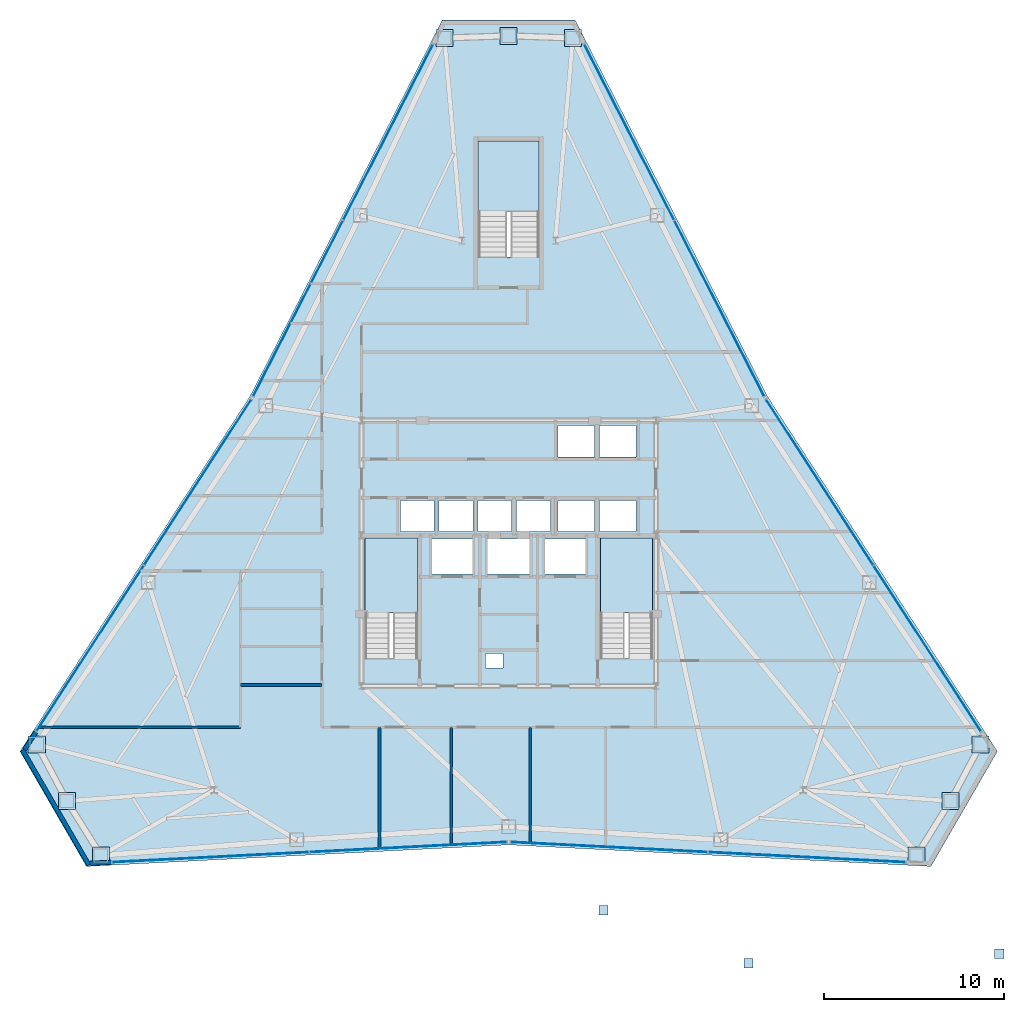
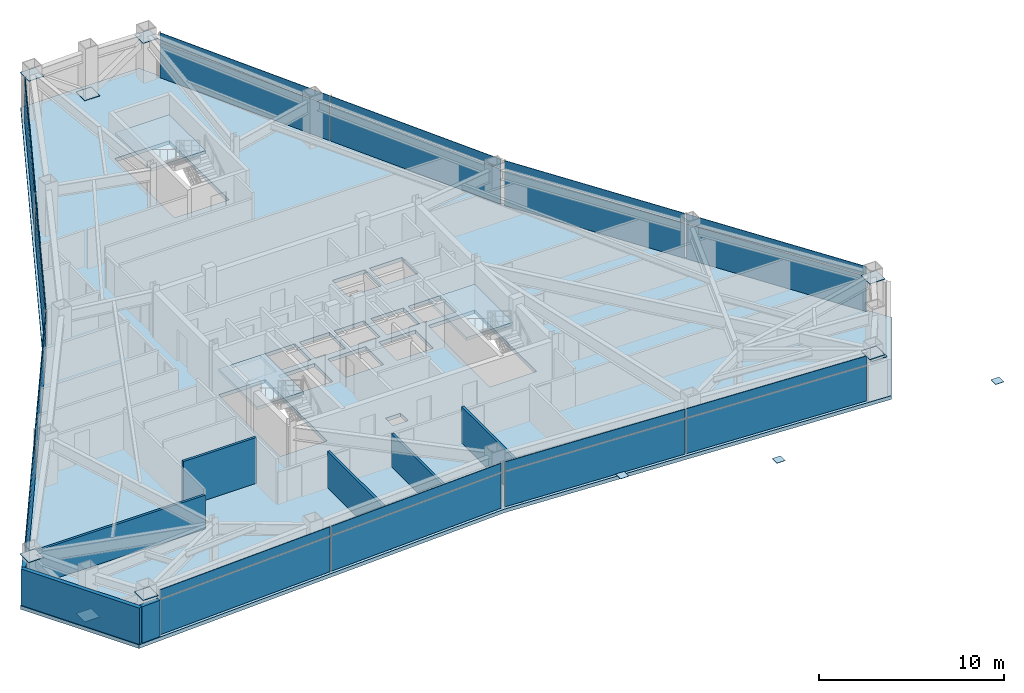
# One storey, part 8 of 12: 36 plates, 8 walls, 4 slabs, 9 elements without a shape of their own.
"""IFC4 building model written with IfcOpenShell, lengths in metres."""

from ifc_helpers import new_model, si_unit, direction, frame, frame_2d, origin, origin_2d, place, context, subcontext, project, spatial, polyline, rectangle, outline, extrude, source, transform, mapped, material, layer, layer_set, type_object, type_shapes, element, aggregate, save


model = new_model("IFC4")

# Units and contexts
model_context = context("Model", 3, precision=1e-05, world=origin(), true_north=direction((0.0, 1.0)))
body_context = subcontext(model_context, "Body", "Model", "MODEL_VIEW")
ifc_project = project(units=[si_unit("LENGTHUNIT", "METRE"), si_unit("AREAUNIT", "SQUARE_METRE"), si_unit("VOLUMEUNIT", "CUBIC_METRE"), si_unit("PLANEANGLEUNIT", "RADIAN"), si_unit("MASSUNIT", "GRAM", prefix="KILO")], contexts=[model_context])

# Site, building, storey
site_placement = place(None, origin())
site = spatial("IfcSite", under=ifc_project, at=site_placement, CompositionType="ELEMENT")
building_placement = place(site_placement, origin())
building = spatial("IfcBuilding", under=site, at=building_placement, Name="Varakhsha Concourse Tower", CompositionType="ELEMENT")
storey_placement = place(building_placement, frame((0.0, 0.0, 193.050048828125)))
storey = spatial("IfcBuildingStorey", under=building, at=storey_placement, Name="L55", CompositionType="ELEMENT", Elevation=193.050048828125)

# Slab
ifc_material_1 = material(Name="Concrete fc 45 MPa", Category="concrete")
ifc_layer_1 = layer(ifc_material_1, 0.239990234375, Name="SL-FLR-240")
ifc_layer_set_1 = layer_set([ifc_layer_1], Name="Concrete fc 45 MPa")
slab_type_1 = type_object("IfcSlabType", Name="SL-FLR-240", PredefinedType="FLOOR", material=ifc_layer_set_1)
slab_1_placement = place(storey_placement, frame((0.0, 0.0, -0.239990234375)))
element("IfcSlab", 1, at=slab_1_placement, inside=storey, type_object=slab_type_1, Name="L55 Composite Structural Slab", PredefinedType="FLOOR", context=body_context, shape_type="SweptSolid", body=[
    extrude(outline(polyline([(43.699951171875, 53.498046875), (36.300048828125, 53.498046875), (25.58056640625, 32.52490234375), (12.777099609375, 12.755126953125), (16.47705078125, 6.3466796875), (40.0, 7.550048828125), (63.52294921875, 6.3466796875), (67.222900390625, 12.755126953125), (54.41943359375, 32.52490234375), (43.699951171875, 53.498046875)]), holes=[polyline([(34.919921875, 17.93994140625), (34.919921875, 24.6298828125), (32.0, 24.6298828125), (32.0, 17.93994140625), (34.919921875, 17.93994140625)]), polyline([(48.02001953125, 17.93994140625), (48.02001953125, 24.6298828125), (45.10009765625, 24.6298828125), (45.10009765625, 17.93994140625), (48.02001953125, 17.93994140625)]), polyline([(41.699951171875, 40.300048828125), (41.699951171875, 46.75), (38.300048828125, 46.75), (38.300048828125, 40.300048828125), (41.699951171875, 40.300048828125)]), polyline([(33.9599609375, 25.0), (35.840087890625, 25.0), (35.840087890625, 26.739990234375), (33.9599609375, 26.739990234375), (33.9599609375, 25.0)]), polyline([(36.1201171875, 25.0), (38.0, 25.0), (38.0, 26.739990234375), (36.1201171875, 26.739990234375), (36.1201171875, 25.0)]), polyline([(38.280029296875, 25.0), (40.159912109375, 25.0), (40.159912109375, 26.739990234375), (38.280029296875, 26.739990234375), (38.280029296875, 25.0)]), polyline([(40.43994140625, 25.0), (42.320068359375, 25.0), (42.320068359375, 26.739990234375), (40.43994140625, 26.739990234375), (40.43994140625, 25.0)]), polyline([(42.739990234375, 29.159912109375), (44.780029296875, 29.159912109375), (44.780029296875, 30.89990234375), (42.739990234375, 30.89990234375), (42.739990234375, 29.159912109375)]), polyline([(45.06005859375, 29.159912109375), (47.10009765625, 29.159912109375), (47.10009765625, 30.89990234375), (45.06005859375, 30.89990234375), (45.06005859375, 29.159912109375)]), polyline([(42.739990234375, 25.0), (44.780029296875, 25.0), (44.780029296875, 26.739990234375), (42.739990234375, 26.739990234375), (42.739990234375, 25.0)]), polyline([(45.06005859375, 25.0), (47.10009765625, 25.0), (47.10009765625, 26.739990234375), (45.06005859375, 26.739990234375), (45.06005859375, 25.0)]), polyline([(35.7099609375, 22.639892578125), (37.989990234375, 22.639892578125), (37.989990234375, 24.60009765625), (35.7099609375, 24.60009765625), (35.7099609375, 22.639892578125)]), polyline([(42.010009765625, 22.639892578125), (44.2900390625, 22.639892578125), (44.2900390625, 24.60009765625), (42.010009765625, 24.60009765625), (42.010009765625, 22.639892578125)]), polyline([(38.81005859375, 22.639892578125), (41.18994140625, 22.639892578125), (41.18994140625, 24.60009765625), (38.81005859375, 24.60009765625), (38.81005859375, 22.639892578125)]), polyline([(38.719970703125, 17.39990234375), (39.679931640625, 17.39990234375), (39.679931640625, 18.199951171875), (38.719970703125, 18.199951171875), (38.719970703125, 17.39990234375)])]), origin(), (0.0, 0.0, 1.0), 0.239990234375),
])

# Stair, slab
stair_type_1 = type_object("IfcStairType", Name="ST-DOGLEG-1360", PredefinedType="HALF_TURN_STAIR", material=ifc_material_1)
stair_1_placement = place(storey_placement, origin())
stair_1 = element("IfcStair", 2, at=stair_1_placement, inside=storey, type_object=stair_type_1, Name="L55 Protected Exit Stair ST1", PredefinedType="HALF_TURN_STAIR")
ifc_layer_2 = layer(ifc_material_1, 0.199951171875, Name="SL-LAND-200")
ifc_layer_set_2 = layer_set([ifc_layer_2], Name="Concrete fc 45 MPa")
slab_type_2 = type_object("IfcSlabType", Name="SL-LAND-200", PredefinedType="LANDING", material=ifc_layer_set_2)
slab_2_placement = place(storey_placement, frame((0.0, 0.0, 1.52490234375)))
slab_2 = element("IfcSlab", 3, at=slab_2_placement, type_object=slab_type_2, Name="ST1 landing 1", PredefinedType="LANDING", context=body_context, shape_type="SweptSolid", body=[
    extrude(outline(polyline([(34.919921875, 20.4599609375), (34.919921875, 24.6298828125), (32.0, 24.6298828125), (32.0, 20.4599609375), (34.919921875, 20.4599609375)])), origin(), (0.0, 0.0, 1.0), 0.199951171875),
])
aggregate(stair_1, [slab_2])

stair_2_placement = place(storey_placement, origin())
stair_2 = element("IfcStair", 4, at=stair_2_placement, inside=storey, type_object=stair_type_1, Name="L55 Protected Exit Stair ST2", PredefinedType="HALF_TURN_STAIR")
slab_3_placement = place(storey_placement, frame((0.0, 0.0, 1.52490234375)))
slab_3 = element("IfcSlab", 5, at=slab_3_placement, type_object=slab_type_2, Name="ST2 landing 1", PredefinedType="LANDING", context=body_context, shape_type="SweptSolid", body=[
    extrude(outline(polyline([(48.02001953125, 20.4599609375), (48.02001953125, 24.6298828125), (45.10009765625, 24.6298828125), (45.10009765625, 20.4599609375), (48.02001953125, 20.4599609375)])), origin(), (0.0, 0.0, 1.0), 0.199951171875),
])
aggregate(stair_2, [slab_3])

stair_type_2 = type_object("IfcStairType", Name="ST-DOGLEG-1600", PredefinedType="HALF_TURN_STAIR", material=ifc_material_1)
stair_3_placement = place(storey_placement, origin())
stair_3 = element("IfcStair", 6, at=stair_3_placement, inside=storey, type_object=stair_type_2, Name="L55 Protected Exit Stair ST5", PredefinedType="HALF_TURN_STAIR")
slab_4_placement = place(storey_placement, frame((0.0, 0.0, 1.52490234375)))
slab_4 = element("IfcSlab", 7, at=slab_4_placement, type_object=slab_type_2, Name="ST5 landing 1", PredefinedType="LANDING", context=body_context, shape_type="SweptSolid", body=[
    extrude(outline(polyline([(41.699951171875, 42.820068359375), (41.699951171875, 46.75), (38.300048828125, 46.75), (38.300048828125, 42.820068359375), (41.699951171875, 42.820068359375)])), origin(), (0.0, 0.0, 1.0), 0.199951171875),
])
aggregate(stair_3, [slab_4])

# Plates
ifc_material_2 = material(Name="Structural Steel ASTM A572 Grade 50", Category="steel")
ifc_layer_3 = layer(ifc_material_2, 0.030029296875, Name="PL-ENDCAP-950")
ifc_layer_set_3 = layer_set([ifc_layer_3], Name="Structural Steel ASTM A572 Grade 50")
plate_type_1 = type_object("IfcPlateType", Name="PL-ENDCAP-950", PredefinedType="USERDEFINED", material=ifc_layer_set_3)
shared_shape_1 = source(origin(), body_context, "Body", "SweptSolid", [
    extrude(rectangle(XDim=0.949951171875, YDim=0.949951171875, at=origin_2d()), origin(), (0.0, 0.0, 1.0), 0.030029296875),
])
type_shapes(plate_type_1, [shared_shape_1])
for number, where, z_axis, x_axis, name in (
    (8, (40.0, 52.6181640625, 0.10498046875), (0.0, 0.0, 1.0), (1.0, 0.0, 0.0), "Hollow Section End Cap GP-NODE-L55-0565"),
    (9, (43.5732421875, 52.494140625, 2.71484375), (0.0, 0.0, 1.0), (1.0, 0.0, 0.0), "Hollow Section End Cap GP-NODE-L55-0566"),
    (10, (36.4267578125, 52.494140625, 2.71484375), (0.0, 0.0, 1.0), (1.0, 0.0, 0.0), "Hollow Section End Cap GP-NODE-L55-0567"),
    (11, (15.38916015625, 9.990966796875, 0.10498046875), (0.0, 0.0, 1.0), (1.0, 0.0, 0.0), "Hollow Section End Cap GP-NODE-L55-0568"),
    (12, (13.7099609375, 13.1474609375, 2.71484375), (0.0, 0.0, 1.0), (1.0, 0.0, 0.0), "Hollow Section End Cap GP-NODE-L55-0569"),
    (13, (17.283203125, 6.95849609375, 2.71484375), (0.0, 0.0, 1.0), (1.0, 0.0, 0.0), "Hollow Section End Cap GP-NODE-L55-0570"),
    (14, (64.61083984375, 9.990966796875, 0.10498046875), (0.0, 0.0, 1.0), (1.0, 0.0, 0.0), "Hollow Section End Cap GP-NODE-L55-0571"),
    (15, (62.716796875, 6.95849609375, 2.71484375), (0.0, 0.0, 1.0), (1.0, 0.0, 0.0), "Hollow Section End Cap GP-NODE-L55-0572"),
    (16, (66.2900390625, 13.1474609375, 2.71484375), (0.0, 0.0, 1.0), (1.0, 0.0, 0.0), "Hollow Section End Cap GP-NODE-L55-0573"),
):
    element("IfcPlate", number, at=place(storey_placement, frame(where, z_axis=z_axis, x_axis=x_axis)), inside=storey, type_object=plate_type_1, Name=name, ObjectType="END PLATE", PredefinedType="USERDEFINED", context=body_context, shape_type="MappedRepresentation", body=[
        mapped(shared_shape_1, transform((0.0, 0.0, 0.0), scale=1.0)),
    ])
ifc_layer_4 = layer(ifc_material_2, 0.02490234375, Name="PL-ENDCAP-500")
ifc_layer_set_4 = layer_set([ifc_layer_4], Name="Structural Steel ASTM A572 Grade 50")
plate_type_2 = type_object("IfcPlateType", Name="PL-ENDCAP-500", PredefinedType="USERDEFINED", material=ifc_layer_set_4)
shared_shape_2 = source(origin(), body_context, "Body", "SweptSolid", [
    extrude(rectangle(XDim=0.52001953125, YDim=0.52001953125, at=origin_2d()), origin(), (0.0, 0.0, 1.0), 0.02490234375),
])
type_shapes(plate_type_2, [shared_shape_2])
for number, where, z_axis, x_axis, name in (
    (17, (45.28271484375, 3.914306640625, 2.58740234375), (0.0, 0.0, 1.0), (1.0, 0.0, 0.0), "Hollow Section End Cap EP-SPT-1-TIP"),
    (18, (53.35986328125, 0.955078125, 2.58740234375), (0.0, 0.0, 1.0), (1.0, 0.0, 0.0), "Hollow Section End Cap EP-SPT-M-TIP"),
    (19, (67.33056640625, 1.475341796875, 2.58740234375), (0.0, 0.0, 1.0), (1.0, 0.0, 0.0), "Hollow Section End Cap EP-SPT-2-TIP"),
):
    element("IfcPlate", number, at=place(storey_placement, frame(where, z_axis=z_axis, x_axis=x_axis)), inside=storey, type_object=plate_type_2, Name=name, ObjectType="END PLATE", PredefinedType="USERDEFINED", context=body_context, shape_type="MappedRepresentation", body=[
        mapped(shared_shape_2, transform((0.0, 0.0, 0.0), scale=1.0)),
    ])

# Curtain wall, plate
ifc_material_3 = material(Name="Anodised Bronze Architectural Aluminium AA 6063-T6", Category="aluminium")
ifc_layer_5 = layer(ifc_material_3, 0.2099609375, Name="CW-SYS-04")
ifc_layer_set_5 = layer_set([ifc_layer_5], Name="Anodised Bronze Architectural Aluminium AA 6063-T6")
curtain_wall_type = type_object("IfcCurtainWallType", Name="CW-SYS-04", PredefinedType="NOTDEFINED", material=ifc_layer_set_5)
curtain_wall_1_placement = place(storey_placement, origin())
curtain_wall_1 = element("IfcCurtainWall", 20, at=curtain_wall_1_placement, inside=storey, type_object=curtain_wall_type, Name="L55 Crystal Curtain Wall F2", PredefinedType="NOTDEFINED")
ifc_material_4 = material(Name="Low-E Triple Insulating Glass IGU 44 mm", Category="glass")
ifc_layer_6 = layer(ifc_material_4, 0.0439453125, Name="CWP-IGU-44")
ifc_layer_set_6 = layer_set([ifc_layer_6], Name="Low-E Triple Insulating Glass IGU 44 mm")
plate_type_3 = type_object("IfcPlateType", Name="CWP-IGU-44", PredefinedType="CURTAIN_PANEL", material=ifc_layer_set_6)
shared_shape_3 = source(origin(), body_context, "Body", "SweptSolid", [
    extrude(rectangle(XDim=10.957763671875, YDim=0.0439453125, at=origin_2d()), origin(), (0.0, 0.0, 1.0), 2.31591796875),
])
plate_1_placement = place(storey_placement, frame((28.268798828125, 37.4326171875, 0.031982421875), z_axis=(0.0, 0.0, 1.0), x_axis=(0.455102042277, 0.890439291089, 0.0)))
plate_1 = element("IfcPlate", 21, at=plate_1_placement, type_object=plate_type_3, Name="CW-L55-F2 Panel 00-00", PredefinedType="CURTAIN_PANEL", context=body_context, shape_type="MappedRepresentation", body=[
    mapped(shared_shape_3, transform((0.0, 0.0, 0.0), scale=1.0)),
])

curtain_wall_2_placement = place(storey_placement, origin())
curtain_wall_2 = element("IfcCurtainWall", 22, at=curtain_wall_2_placement, inside=storey, type_object=curtain_wall_type, Name="L55 Crystal Curtain Wall F3", PredefinedType="NOTDEFINED")
plate_2_placement = place(storey_placement, frame((16.680419921875, 18.48779296875, 0.031982421875), z_axis=(0.0, 0.0, 1.0), x_axis=(0.543587630641, 0.8393524217, 0.0)))
plate_2 = element("IfcPlate", 23, at=plate_2_placement, type_object=plate_type_3, Name="CW-L55-F3 Panel 00-00", PredefinedType="CURTAIN_PANEL", context=body_context, shape_type="MappedRepresentation", body=[
    mapped(shared_shape_3, transform((0.0, 0.0, 0.0), scale=1.0)),
])

curtain_wall_3_placement = place(storey_placement, origin())
curtain_wall_3 = element("IfcCurtainWall", 24, at=curtain_wall_3_placement, inside=storey, type_object=curtain_wall_type, Name="L55 Crystal Curtain Wall F5", PredefinedType="NOTDEFINED")
plate_3_placement = place(storey_placement, frame((34.40576171875, 7.424072265625, 0.031982421875), z_axis=(0.0, 0.0, 1.0), x_axis=(-0.998693889407, -0.051093201718, 0.0)))
plate_3 = element("IfcPlate", 25, at=plate_3_placement, type_object=plate_type_3, Name="CW-L55-F5 Panel 00-00", PredefinedType="CURTAIN_PANEL", context=body_context, shape_type="MappedRepresentation", body=[
    mapped(shared_shape_3, transform((0.0, 0.0, 0.0), scale=1.0)),
])

curtain_wall_4_placement = place(storey_placement, origin())
curtain_wall_4 = element("IfcCurtainWall", 26, at=curtain_wall_4_placement, inside=storey, type_object=curtain_wall_type, Name="L55 Crystal Curtain Wall F6", PredefinedType="NOTDEFINED")
plate_4_placement = place(storey_placement, frame((56.606689453125, 6.860595703125, 0.031982421875), z_axis=(0.0, 0.0, 1.0), x_axis=(-0.998693889407, 0.051093201718, 0.0)))
plate_4 = element("IfcPlate", 27, at=plate_4_placement, type_object=plate_type_3, Name="CW-L55-F6 Panel 00-00", PredefinedType="CURTAIN_PANEL", context=body_context, shape_type="MappedRepresentation", body=[
    mapped(shared_shape_3, transform((0.0, 0.0, 0.0), scale=1.0)),
])

curtain_wall_5_placement = place(storey_placement, origin())
curtain_wall_5 = element("IfcCurtainWall", 28, at=curtain_wall_5_placement, inside=storey, type_object=curtain_wall_type, Name="L55 Crystal Curtain Wall F8", PredefinedType="NOTDEFINED")
plate_5_placement = place(storey_placement, frame((57.32568359375, 27.7431640625, 0.031982421875), z_axis=(0.0, 0.0, 1.0), x_axis=(0.543587630641, -0.8393524217, 0.0)))
plate_5 = element("IfcPlate", 29, at=plate_5_placement, type_object=plate_type_3, Name="CW-L55-F8 Panel 00-00", PredefinedType="CURTAIN_PANEL", context=body_context, shape_type="MappedRepresentation", body=[
    mapped(shared_shape_3, transform((0.0, 0.0, 0.0), scale=1.0)),
])

curtain_wall_6_placement = place(storey_placement, origin())
curtain_wall_6 = element("IfcCurtainWall", 30, at=curtain_wall_6_placement, inside=storey, type_object=curtain_wall_type, Name="L55 Crystal Curtain Wall F9", PredefinedType="NOTDEFINED")
plate_6_placement = place(storey_placement, frame((46.712890625, 47.251708984375, 0.031982421875), z_axis=(0.0, 0.0, 1.0), x_axis=(0.455102042277, -0.890439291089, 0.0)))
plate_6 = element("IfcPlate", 31, at=plate_6_placement, type_object=plate_type_3, Name="CW-L55-F9 Panel 00-00", PredefinedType="CURTAIN_PANEL", context=body_context, shape_type="MappedRepresentation", body=[
    mapped(shared_shape_3, transform((0.0, 0.0, 0.0), scale=1.0)),
])

# Plate
ifc_material_5 = material(Name="Insulated Anodised Bronze Aluminium Spandrel 36 mm", Category="aluminium")
ifc_layer_7 = layer(ifc_material_5, 0.035888671875, Name="CWP-SPN-36")
ifc_layer_set_7 = layer_set([ifc_layer_7], Name="Insulated Anodised Bronze Aluminium Spandrel 36 mm")
plate_type_4 = type_object("IfcPlateType", Name="CWP-SPN-36", PredefinedType="USERDEFINED", material=ifc_layer_set_7)
shared_shape_4 = source(origin(), body_context, "Body", "SweptSolid", [
    extrude(rectangle(XDim=10.957763671875, YDim=0.035888671875, at=origin_2d()), origin(), (0.0, 0.0, 1.0), 0.5859375),
])
plate_7_placement = place(storey_placement, frame((28.268798828125, 37.4326171875, 2.411865234375), z_axis=(0.0, 0.0, 1.0), x_axis=(0.455102042277, 0.890439291089, 0.0)))
plate_7 = element("IfcPlate", 32, at=plate_7_placement, type_object=plate_type_4, Name="CW-L55-F2 Panel 00-01", ObjectType="SPANDREL", PredefinedType="USERDEFINED", context=body_context, shape_type="MappedRepresentation", body=[
    mapped(shared_shape_4, transform((0.0, 0.0, 0.0), scale=1.0)),
])

plate_8_placement = place(storey_placement, frame((16.680419921875, 18.48779296875, 2.411865234375), z_axis=(0.0, 0.0, 1.0), x_axis=(0.543587630641, 0.8393524217, 0.0)))
plate_8 = element("IfcPlate", 33, at=plate_8_placement, type_object=plate_type_4, Name="CW-L55-F3 Panel 00-01", ObjectType="SPANDREL", PredefinedType="USERDEFINED", context=body_context, shape_type="MappedRepresentation", body=[
    mapped(shared_shape_4, transform((0.0, 0.0, 0.0), scale=1.0)),
])

plate_9_placement = place(storey_placement, frame((34.40576171875, 7.424072265625, 2.411865234375), z_axis=(0.0, 0.0, 1.0), x_axis=(-0.998693889407, -0.051093201718, 0.0)))
plate_9 = element("IfcPlate", 34, at=plate_9_placement, type_object=plate_type_4, Name="CW-L55-F5 Panel 00-01", ObjectType="SPANDREL", PredefinedType="USERDEFINED", context=body_context, shape_type="MappedRepresentation", body=[
    mapped(shared_shape_4, transform((0.0, 0.0, 0.0), scale=1.0)),
])

plate_10_placement = place(storey_placement, frame((56.606689453125, 6.860595703125, 2.411865234375), z_axis=(0.0, 0.0, 1.0), x_axis=(-0.998693889407, 0.051093201718, 0.0)))
plate_10 = element("IfcPlate", 35, at=plate_10_placement, type_object=plate_type_4, Name="CW-L55-F6 Panel 00-01", ObjectType="SPANDREL", PredefinedType="USERDEFINED", context=body_context, shape_type="MappedRepresentation", body=[
    mapped(shared_shape_4, transform((0.0, 0.0, 0.0), scale=1.0)),
])

plate_11_placement = place(storey_placement, frame((57.32568359375, 27.7431640625, 2.411865234375), z_axis=(0.0, 0.0, 1.0), x_axis=(0.543587630641, -0.8393524217, 0.0)))
plate_11 = element("IfcPlate", 36, at=plate_11_placement, type_object=plate_type_4, Name="CW-L55-F8 Panel 00-01", ObjectType="SPANDREL", PredefinedType="USERDEFINED", context=body_context, shape_type="MappedRepresentation", body=[
    mapped(shared_shape_4, transform((0.0, 0.0, 0.0), scale=1.0)),
])

plate_12_placement = place(storey_placement, frame((46.712890625, 47.251708984375, 2.411865234375), z_axis=(0.0, 0.0, 1.0), x_axis=(0.455102042277, -0.890439291089, 0.0)))
plate_12 = element("IfcPlate", 37, at=plate_12_placement, type_object=plate_type_4, Name="CW-L55-F9 Panel 00-01", ObjectType="SPANDREL", PredefinedType="USERDEFINED", context=body_context, shape_type="MappedRepresentation", body=[
    mapped(shared_shape_4, transform((0.0, 0.0, 0.0), scale=1.0)),
])

shared_shape_5 = source(origin(), body_context, "Body", "SweptSolid", [
    extrude(rectangle(XDim=10.9580078125, YDim=0.0439453125, at=origin_2d()), origin(), (0.0, 0.0, 1.0), 2.31591796875),
])
type_shapes(plate_type_3, [shared_shape_3, shared_shape_5])
plate_13_placement = place(storey_placement, frame((33.287109375, 47.25146484375, 0.031982421875), z_axis=(0.0, 0.0, 1.0), x_axis=(0.455102042277, 0.890439291089, 0.0)))
plate_13 = element("IfcPlate", 38, at=plate_13_placement, type_object=plate_type_3, Name="CW-L55-F2 Panel 01-00", PredefinedType="CURTAIN_PANEL", context=body_context, shape_type="MappedRepresentation", body=[
    mapped(shared_shape_5, transform((0.0, 0.0, 0.0), scale=1.0)),
])

plate_14_placement = place(storey_placement, frame((22.67431640625, 27.7431640625, 0.031982421875), z_axis=(0.0, 0.0, 1.0), x_axis=(0.543587630641, 0.8393524217, 0.0)))
plate_14 = element("IfcPlate", 39, at=plate_14_placement, type_object=plate_type_3, Name="CW-L55-F3 Panel 01-00", PredefinedType="CURTAIN_PANEL", context=body_context, shape_type="MappedRepresentation", body=[
    mapped(shared_shape_5, transform((0.0, 0.0, 0.0), scale=1.0)),
])

plate_15_placement = place(storey_placement, frame((23.393310546875, 6.860595703125, 0.031982421875), z_axis=(0.0, 0.0, 1.0), x_axis=(-0.998693889407, -0.051093201718, 0.0)))
plate_15 = element("IfcPlate", 40, at=plate_15_placement, type_object=plate_type_3, Name="CW-L55-F5 Panel 01-00", PredefinedType="CURTAIN_PANEL", context=body_context, shape_type="MappedRepresentation", body=[
    mapped(shared_shape_5, transform((0.0, 0.0, 0.0), scale=1.0)),
])

plate_16_placement = place(storey_placement, frame((45.594482421875, 7.424072265625, 0.031982421875), z_axis=(0.0, 0.0, 1.0), x_axis=(-0.998693889407, 0.051093201718, 0.0)))
plate_16 = element("IfcPlate", 41, at=plate_16_placement, type_object=plate_type_3, Name="CW-L55-F6 Panel 01-00", PredefinedType="CURTAIN_PANEL", context=body_context, shape_type="MappedRepresentation", body=[
    mapped(shared_shape_5, transform((0.0, 0.0, 0.0), scale=1.0)),
])

plate_17_placement = place(storey_placement, frame((63.319580078125, 18.48779296875, 0.031982421875), z_axis=(0.0, 0.0, 1.0), x_axis=(0.543587630641, -0.8393524217, 0.0)))
plate_17 = element("IfcPlate", 42, at=plate_17_placement, type_object=plate_type_3, Name="CW-L55-F8 Panel 01-00", PredefinedType="CURTAIN_PANEL", context=body_context, shape_type="MappedRepresentation", body=[
    mapped(shared_shape_5, transform((0.0, 0.0, 0.0), scale=1.0)),
])

plate_18_placement = place(storey_placement, frame((51.731201171875, 37.432861328125, 0.031982421875), z_axis=(0.0, 0.0, 1.0), x_axis=(0.455102042277, -0.890439291089, 0.0)))
plate_18 = element("IfcPlate", 43, at=plate_18_placement, type_object=plate_type_3, Name="CW-L55-F9 Panel 01-00", PredefinedType="CURTAIN_PANEL", context=body_context, shape_type="MappedRepresentation", body=[
    mapped(shared_shape_5, transform((0.0, 0.0, 0.0), scale=1.0)),
])

shared_shape_6 = source(origin(), body_context, "Body", "SweptSolid", [
    extrude(rectangle(XDim=10.9580078125, YDim=0.035888671875, at=origin_2d()), origin(), (0.0, 0.0, 1.0), 0.5859375),
])
type_shapes(plate_type_4, [shared_shape_4, shared_shape_6])
plate_19_placement = place(storey_placement, frame((33.287109375, 47.25146484375, 2.411865234375), z_axis=(0.0, 0.0, 1.0), x_axis=(0.455102042277, 0.890439291089, 0.0)))
plate_19 = element("IfcPlate", 44, at=plate_19_placement, type_object=plate_type_4, Name="CW-L55-F2 Panel 01-01", ObjectType="SPANDREL", PredefinedType="USERDEFINED", context=body_context, shape_type="MappedRepresentation", body=[
    mapped(shared_shape_6, transform((0.0, 0.0, 0.0), scale=1.0)),
])

aggregate(curtain_wall_1, [plate_1, plate_7, plate_13, plate_19])

plate_20_placement = place(storey_placement, frame((22.67431640625, 27.7431640625, 2.411865234375), z_axis=(0.0, 0.0, 1.0), x_axis=(0.543587630641, 0.8393524217, 0.0)))
plate_20 = element("IfcPlate", 45, at=plate_20_placement, type_object=plate_type_4, Name="CW-L55-F3 Panel 01-01", ObjectType="SPANDREL", PredefinedType="USERDEFINED", context=body_context, shape_type="MappedRepresentation", body=[
    mapped(shared_shape_6, transform((0.0, 0.0, 0.0), scale=1.0)),
])

aggregate(curtain_wall_2, [plate_2, plate_8, plate_14, plate_20])

plate_21_placement = place(storey_placement, frame((23.393310546875, 6.860595703125, 2.411865234375), z_axis=(0.0, 0.0, 1.0), x_axis=(-0.998693889407, -0.051093201718, 0.0)))
plate_21 = element("IfcPlate", 46, at=plate_21_placement, type_object=plate_type_4, Name="CW-L55-F5 Panel 01-01", ObjectType="SPANDREL", PredefinedType="USERDEFINED", context=body_context, shape_type="MappedRepresentation", body=[
    mapped(shared_shape_6, transform((0.0, 0.0, 0.0), scale=1.0)),
])

aggregate(curtain_wall_3, [plate_3, plate_9, plate_15, plate_21])

plate_22_placement = place(storey_placement, frame((45.594482421875, 7.424072265625, 2.411865234375), z_axis=(0.0, 0.0, 1.0), x_axis=(-0.998693889407, 0.051093201718, 0.0)))
plate_22 = element("IfcPlate", 47, at=plate_22_placement, type_object=plate_type_4, Name="CW-L55-F6 Panel 01-01", ObjectType="SPANDREL", PredefinedType="USERDEFINED", context=body_context, shape_type="MappedRepresentation", body=[
    mapped(shared_shape_6, transform((0.0, 0.0, 0.0), scale=1.0)),
])

aggregate(curtain_wall_4, [plate_4, plate_10, plate_16, plate_22])

plate_23_placement = place(storey_placement, frame((63.319580078125, 18.48779296875, 2.411865234375), z_axis=(0.0, 0.0, 1.0), x_axis=(0.543587630641, -0.8393524217, 0.0)))
plate_23 = element("IfcPlate", 48, at=plate_23_placement, type_object=plate_type_4, Name="CW-L55-F8 Panel 01-01", ObjectType="SPANDREL", PredefinedType="USERDEFINED", context=body_context, shape_type="MappedRepresentation", body=[
    mapped(shared_shape_6, transform((0.0, 0.0, 0.0), scale=1.0)),
])

aggregate(curtain_wall_5, [plate_5, plate_11, plate_17, plate_23])

plate_24_placement = place(storey_placement, frame((51.731201171875, 37.432861328125, 2.411865234375), z_axis=(0.0, 0.0, 1.0), x_axis=(0.455102042277, -0.890439291089, 0.0)))
plate_24 = element("IfcPlate", 49, at=plate_24_placement, type_object=plate_type_4, Name="CW-L55-F9 Panel 01-01", ObjectType="SPANDREL", PredefinedType="USERDEFINED", context=body_context, shape_type="MappedRepresentation", body=[
    mapped(shared_shape_6, transform((0.0, 0.0, 0.0), scale=1.0)),
])

aggregate(curtain_wall_6, [plate_6, plate_12, plate_18, plate_24])

# Walls
ifc_layer_8 = layer(ifc_material_1, 0.239990234375, Name="WL-EXT-CRN-240")
ifc_layer_set_8 = layer_set([ifc_layer_8], Name="Concrete fc 45 MPa")
wall_type_1 = type_object("IfcWallType", Name="WL-EXT-CRN-240", PredefinedType="SHEAR", material=ifc_layer_set_8)
wall_1_placement = place(storey_placement, frame((13.66552734375, 13.832763671875, 0.0), z_axis=(0.0, 0.0, 1.0), x_axis=(-0.543502707761, -0.839407413987, 0.0)))
element("IfcWall", 50, at=wall_1_placement, inside=storey, type_object=wall_type_1, Name="L55 Wind-Corner Shoulder Wall F3", PredefinedType="SHEAR", context=body_context, shape_type="SweptSolid", body=[
    extrude(rectangle(XDim=1.16748046875, YDim=0.239990234375, at=frame_2d((0.583740234375, 0.0))), origin(), (0.0, 0.0, 1.0), 2.40283203125),
])
wall_2_placement = place(storey_placement, frame((16.61572265625, 6.426513671875, 0.0), z_axis=(0.0, 0.0, 1.0), x_axis=(-0.499988999718, 0.866031754707, 0.0)))
element("IfcWall", 51, at=wall_2_placement, inside=storey, type_object=wall_type_1, Name="L55 Chamfer Wind-Corner Insulated Wall F4", PredefinedType="SHEAR", context=body_context, shape_type="SweptSolid", body=[
    extrude(rectangle(XDim=7.400146484375, YDim=0.239990234375, at=frame_2d((3.7001953125, 0.0))), origin(), (0.0, 0.0, 1.0), 2.40283203125),
])
wall_3_placement = place(storey_placement, frame((16.688720703125, 6.517578125, 0.0), z_axis=(0.0, 0.0, 1.0), x_axis=(0.998696973005, 0.051032892443, 0.0)))
element("IfcWall", 52, at=wall_3_placement, inside=storey, type_object=wall_type_1, Name="L55 Wind-Corner Shoulder Wall F5", PredefinedType="SHEAR", context=body_context, shape_type="SweptSolid", body=[
    extrude(rectangle(XDim=1.167236328125, YDim=0.239990234375, at=frame_2d((0.58349609375, 0.0))), origin(), (0.0, 0.0, 1.0), 2.40283203125),
])
ifc_material_6 = material(Name="Fire-Rated Type X Gypsum Partition Assembly", Category="gypsum")
ifc_layer_9 = layer(ifc_material_6, 0.14990234375, Name="WL-PART-150")
ifc_layer_set_9 = layer_set([ifc_layer_9], Name="Fire-Rated Type X Gypsum Partition Assembly")
wall_type_2 = type_object("IfcWallType", Name="WL-PART-150", PredefinedType="PARTITIONING", material=ifc_layer_set_9)
wall_4_placement = place(storey_placement, frame((25.050048828125, 16.449951171875, 0.0), z_axis=(0.0, 0.0, 1.0), x_axis=(1.0, 0.0, 0.0)))
element("IfcWall", 53, at=wall_4_placement, inside=storey, type_object=wall_type_2, Name="L55 Wall C2WC-S-L55", PredefinedType="PARTITIONING", context=body_context, shape_type="SweptSolid", body=[
    extrude(rectangle(XDim=4.550048828125, YDim=0.14990234375, at=frame_2d((2.27490234375, 0.0))), origin(), (0.0, 0.0, 1.0), 3.030029296875),
])
wall_5_placement = place(storey_placement, frame((32.800048828125, 7.346923828125, 0.0), z_axis=(0.0, 0.0, 1.0), x_axis=(0.0, 1.0, 0.0)))
element("IfcWall", 54, at=wall_5_placement, inside=storey, type_object=wall_type_2, Name="L55 Wall ODIV-S1-L55", PredefinedType="PARTITIONING", context=body_context, shape_type="SweptSolid", body=[
    extrude(rectangle(XDim=6.753173828125, YDim=0.14990234375, at=frame_2d((3.37646484375, 0.0))), origin(), (0.0, 0.0, 1.0), 2.408935546875),
])
wall_6_placement = place(storey_placement, frame((36.800048828125, 7.551513671875, 0.0), z_axis=(0.0, 0.0, 1.0), x_axis=(0.0, 1.0, 0.0)))
element("IfcWall", 55, at=wall_6_placement, inside=storey, type_object=wall_type_2, Name="L55 Wall ODIV-S2-L55", PredefinedType="PARTITIONING", context=body_context, shape_type="SweptSolid", body=[
    extrude(rectangle(XDim=6.548583984375, YDim=0.14990234375, at=frame_2d((3.2744140625, 0.0))), origin(), (0.0, 0.0, 1.0), 2.160888671875),
])
wall_7_placement = place(storey_placement, frame((41.199951171875, 7.65380859375, 0.0), z_axis=(0.0, 0.0, 1.0), x_axis=(0.0, 1.0, 0.0)))
element("IfcWall", 56, at=wall_7_placement, inside=storey, type_object=wall_type_2, Name="L55 Wall ODIV-S3-L55", PredefinedType="PARTITIONING", context=body_context, shape_type="SweptSolid", body=[
    extrude(rectangle(XDim=6.4462890625, YDim=0.14990234375, at=frame_2d((3.22314453125, 0.0))), origin(), (0.0, 0.0, 1.0), 2.408935546875),
])
wall_8_placement = place(storey_placement, frame((13.844482421875, 14.10009765625, 0.0), z_axis=(0.0, 0.0, 1.0), x_axis=(1.0, 0.0, 0.0)))
element("IfcWall", 57, at=wall_8_placement, inside=storey, type_object=wall_type_2, Name="L55 Wall ODIV-SWB-L55", PredefinedType="PARTITIONING", context=body_context, shape_type="SweptSolid", body=[
    extrude(rectangle(XDim=11.20556640625, YDim=0.14990234375, at=frame_2d((5.602783203125, 0.0))), origin(), (0.0, 0.0, 1.0), 2.240966796875),
])

save(model, "model.ifc")
